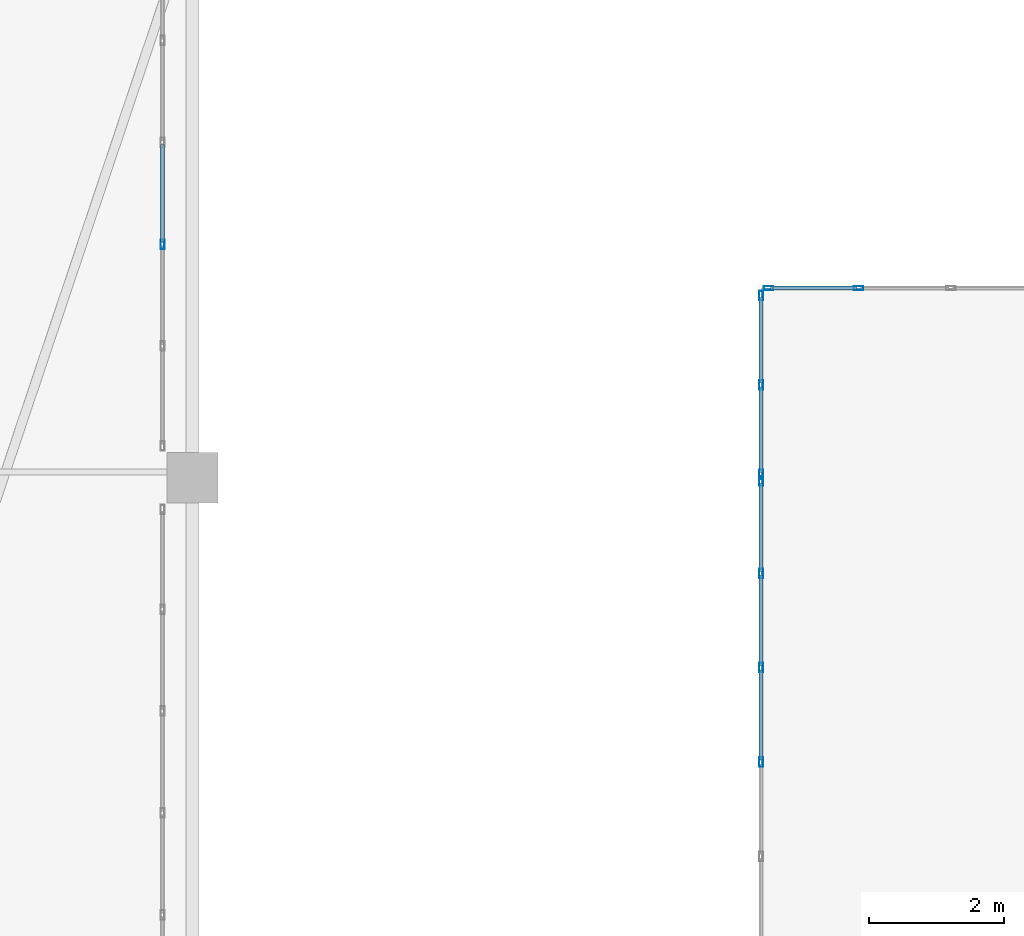
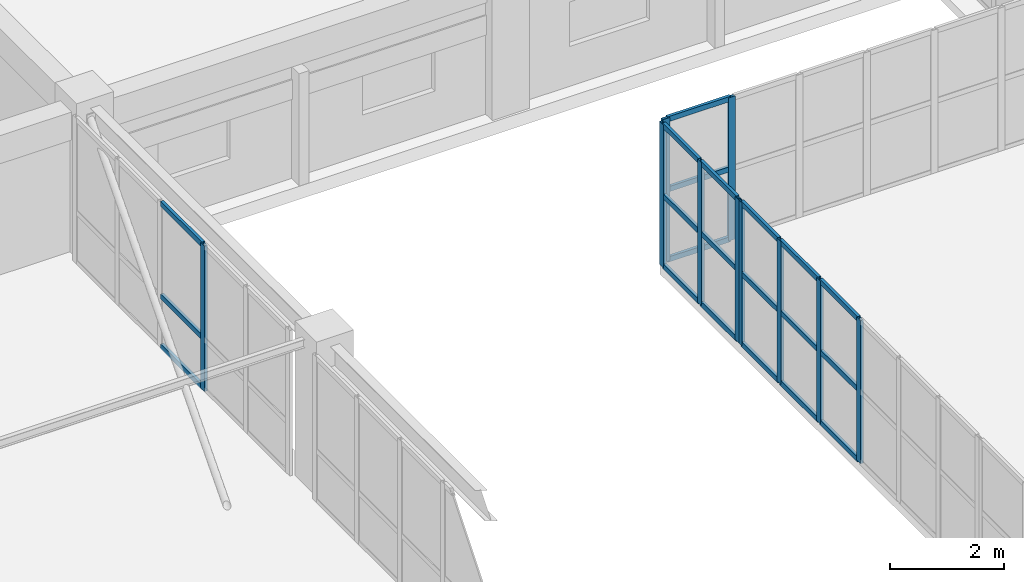
# One storey, part 106 of 200: 31 members, 4 elements without a shape of their own.
"""IFC4 building model written with IfcOpenShell, lengths in metres."""

from ifc_helpers import new_model, si_unit, direction, frame, origin, origin_2d, place, context, subcontext, project, spatial, hollow_rectangle, extrude, material, layer, layer_set, material_profile, profile_set, type_object, element, aggregate, save


model = new_model("IFC4")

# Units and contexts
model_context = context("Model", 3, precision=1e-05, world=origin(), true_north=direction((0.0, 1.0)))
body_context = subcontext(model_context, "Body", "Model", "MODEL_VIEW")
ifc_project = project(units=[si_unit("LENGTHUNIT", "METRE"), si_unit("AREAUNIT", "SQUARE_METRE"), si_unit("VOLUMEUNIT", "CUBIC_METRE"), si_unit("PLANEANGLEUNIT", "RADIAN"), si_unit("MASSUNIT", "GRAM", prefix="KILO")], contexts=[model_context])

# Site, building, storey
site_placement = place(None, origin())
site = spatial("IfcSite", under=ifc_project, at=site_placement, CompositionType="ELEMENT")
building_placement = place(site_placement, origin())
building = spatial("IfcBuilding", under=site, at=building_placement, Name="Trelvath General Hospital", CompositionType="ELEMENT")
storey_placement = place(building_placement, frame((0.0, 0.0, 4.800048828125)))
storey = spatial("IfcBuildingStorey", under=building, at=storey_placement, Name="L01", CompositionType="ELEMENT", Elevation=4.800048828125)

# Curtain wall, members
ifc_material_1 = material(Name="Anodised aluminium and low-E glass", Category="aluminium")
ifc_layer_1 = layer(ifc_material_1, 0.14990234375)
ifc_layer_set_1 = layer_set([ifc_layer_1], Name="Anodised aluminium and low-E glass")
curtain_wall_type_1 = type_object("IfcCurtainWallType", Name="CW CrystalCube 817 306 15", PredefinedType="USERDEFINED", material=ifc_layer_set_1)
curtain_wall_1_placement = place(storey_placement, origin())
curtain_wall_1 = element("IfcCurtainWall", 1, at=curtain_wall_1_placement, inside=storey, type_object=curtain_wall_type_1, Name="Crystal Cube Curtain Wall CUBE-E-T0 N1 L01", ObjectType="Unitised Glazed Curtain Wall", PredefinedType="USERDEFINED")
ifc_material_2 = material(Name="Anodised aluminium", Category="aluminium")
ifc_material_profile_1 = material_profile(ifc_material_2, hollow_rectangle(XDim=0.06005859375, YDim=0.139892578125, WallThickness=0.00390625, at=origin_2d()), Name="RHS60x140x4")
ifc_profile_set_1 = profile_set([ifc_material_profile_1], Name="Anodised aluminium")
member_type_1 = type_object("IfcMemberType", Name="CurtainMullion 60x140", PredefinedType="MULLION", material=ifc_profile_set_1)
member_1_placement = place(storey_placement, frame((92.510009765625, 86.800048828125, 0.0), z_axis=(0.0, 0.0, 1.0), x_axis=(0.0, 1.0, 0.0)))
member_1 = element("IfcMember", 2, at=member_1_placement, type_object=member_type_1, Name="CW-155 mullion 1", PredefinedType="MULLION", context=body_context, shape_type="SweptSolid", body=[
    extrude(hollow_rectangle(XDim=0.06005859375, YDim=0.139892578125, WallThickness=0.00390625, at=origin_2d()), origin(), (0.0, 0.0, 1.0), 3.06005859375),
])
member_2_placement = place(storey_placement, frame((93.841552734375, 86.800048828125, 0.0), z_axis=(0.0, 0.0, 1.0), x_axis=(0.0, 1.0, 0.0)))
member_2 = element("IfcMember", 3, at=member_2_placement, type_object=member_type_1, Name="CW-155 mullion 2", PredefinedType="MULLION", context=body_context, shape_type="SweptSolid", body=[
    extrude(hollow_rectangle(XDim=0.06005859375, YDim=0.139892578125, WallThickness=0.00390625, at=origin_2d()), origin(), (0.0, 0.0, 1.0), 3.06005859375),
])

ifc_material_3 = material(Name="Anodised aluminium and low-E glass", Category="aluminium")
ifc_layer_2 = layer(ifc_material_3, 0.14990234375)
ifc_layer_set_2 = layer_set([ifc_layer_2], Name="Anodised aluminium and low-E glass")
curtain_wall_type_2 = type_object("IfcCurtainWallType", Name="CW CrystalCube 836 306 15", PredefinedType="USERDEFINED", material=ifc_layer_set_2)
curtain_wall_2_placement = place(storey_placement, origin())
curtain_wall_2 = element("IfcCurtainWall", 4, at=curtain_wall_2_placement, inside=storey, type_object=curtain_wall_type_2, Name="Crystal Cube Curtain Wall CUBE-E-T0 W6 L01", ObjectType="Unitised Glazed Curtain Wall", PredefinedType="USERDEFINED")
member_3_placement = place(storey_placement, frame((92.39990234375, 79.800048828125, 0.0), z_axis=(0.0, 0.0, 1.0), x_axis=(-1.0, 0.0, 0.0)))
member_3 = element("IfcMember", 5, at=member_3_placement, type_object=member_type_1, Name="CW-169 mullion 4", PredefinedType="MULLION", context=body_context, shape_type="SweptSolid", body=[
    extrude(hollow_rectangle(XDim=0.06005859375, YDim=0.139892578125, WallThickness=0.00390625, at=origin_2d()), origin(), (0.0, 0.0, 1.0), 3.06005859375),
])
member_4_placement = place(storey_placement, frame((92.39990234375, 81.193359375, 0.0), z_axis=(0.0, 0.0, 1.0), x_axis=(-1.0, 0.0, 0.0)))
member_4 = element("IfcMember", 6, at=member_4_placement, type_object=member_type_1, Name="CW-169 mullion 5", PredefinedType="MULLION", context=body_context, shape_type="SweptSolid", body=[
    extrude(hollow_rectangle(XDim=0.06005859375, YDim=0.139892578125, WallThickness=0.00390625, at=origin_2d()), origin(), (0.0, 0.0, 1.0), 3.06005859375),
])
member_5_placement = place(storey_placement, frame((92.39990234375, 82.586669921875, 0.0), z_axis=(0.0, 0.0, 1.0), x_axis=(-1.0, 0.0, 0.0)))
member_5 = element("IfcMember", 7, at=member_5_placement, type_object=member_type_1, Name="CW-169 mullion 6", PredefinedType="MULLION", context=body_context, shape_type="SweptSolid", body=[
    extrude(hollow_rectangle(XDim=0.06005859375, YDim=0.139892578125, WallThickness=0.00390625, at=origin_2d()), origin(), (0.0, 0.0, 1.0), 3.06005859375),
])
member_6_placement = place(storey_placement, frame((92.39990234375, 83.949951171875, 0.0), z_axis=(0.0, 0.0, 1.0), x_axis=(-1.0, 0.0, 0.0)))
member_6 = element("IfcMember", 8, at=member_6_placement, type_object=member_type_1, Name="CW-169 mullion 7", PredefinedType="MULLION", context=body_context, shape_type="SweptSolid", body=[
    extrude(hollow_rectangle(XDim=0.06005859375, YDim=0.139892578125, WallThickness=0.00390625, at=origin_2d()), origin(), (0.0, 0.0, 1.0), 3.06005859375),
])

ifc_material_4 = material(Name="Anodised aluminium and low-E glass", Category="aluminium")
ifc_layer_3 = layer(ifc_material_4, 0.14990234375)
ifc_layer_set_3 = layer_set([ifc_layer_3], Name="Anodised aluminium and low-E glass")
curtain_wall_type_3 = type_object("IfcCurtainWallType", Name="CW CrystalCube 270 306 15", PredefinedType="USERDEFINED", material=ifc_layer_set_3)
curtain_wall_3_placement = place(storey_placement, origin())
curtain_wall_3 = element("IfcCurtainWall", 9, at=curtain_wall_3_placement, inside=storey, type_object=curtain_wall_type_3, Name="Crystal Cube Curtain Wall CUBE-E-T0 W7 L01", ObjectType="Unitised Glazed Curtain Wall", PredefinedType="USERDEFINED")
member_7_placement = place(storey_placement, frame((92.39990234375, 84.050048828125, 0.0), z_axis=(0.0, 0.0, 1.0), x_axis=(-1.0, 0.0, 0.0)))
member_7 = element("IfcMember", 10, at=member_7_placement, type_object=member_type_1, Name="CW-171 mullion 1", PredefinedType="MULLION", context=body_context, shape_type="SweptSolid", body=[
    extrude(hollow_rectangle(XDim=0.06005859375, YDim=0.139892578125, WallThickness=0.00390625, at=origin_2d()), origin(), (0.0, 0.0, 1.0), 3.06005859375),
])
member_8_placement = place(storey_placement, frame((92.39990234375, 85.3701171875, 0.0), z_axis=(0.0, 0.0, 1.0), x_axis=(-1.0, 0.0, 0.0)))
member_8 = element("IfcMember", 11, at=member_8_placement, type_object=member_type_1, Name="CW-171 mullion 2", PredefinedType="MULLION", context=body_context, shape_type="SweptSolid", body=[
    extrude(hollow_rectangle(XDim=0.06005859375, YDim=0.139892578125, WallThickness=0.00390625, at=origin_2d()), origin(), (0.0, 0.0, 1.0), 3.06005859375),
])
member_9_placement = place(storey_placement, frame((92.39990234375, 86.68994140625, 0.0), z_axis=(0.0, 0.0, 1.0), x_axis=(-1.0, 0.0, 0.0)))
member_9 = element("IfcMember", 12, at=member_9_placement, type_object=member_type_1, Name="CW-171 mullion 3", PredefinedType="MULLION", context=body_context, shape_type="SweptSolid", body=[
    extrude(hollow_rectangle(XDim=0.06005859375, YDim=0.139892578125, WallThickness=0.00390625, at=origin_2d()), origin(), (0.0, 0.0, 1.0), 3.06005859375),
])

# Curtain wall, member
ifc_material_5 = material(Name="Anodised aluminium and low-E glass", Category="aluminium")
ifc_layer_4 = layer(ifc_material_5, 0.139892578125)
ifc_layer_set_4 = layer_set([ifc_layer_4], Name="Anodised aluminium and low-E glass")
curtain_wall_type_4 = type_object("IfcCurtainWallType", Name="CW Bridge 752 311", PredefinedType="USERDEFINED", material=ifc_layer_set_4)
curtain_wall_4_placement = place(storey_placement, origin())
curtain_wall_4 = element("IfcCurtainWall", 13, at=curtain_wall_4_placement, inside=storey, type_object=curtain_wall_type_4, Name="Glazed Bridge Curtain Wall BRG-N-C E L01", ObjectType="Unitised Glazed Curtain Wall", PredefinedType="USERDEFINED")
member_10_placement = place(storey_placement, frame((83.56005859375, 87.447998046875, 0.0), z_axis=(0.0, 0.0, 1.0), x_axis=(1.0, 0.0, 0.0)))
member_10 = element("IfcMember", 14, at=member_10_placement, type_object=member_type_1, Name="CW-177 mullion 4", PredefinedType="MULLION", context=body_context, shape_type="SweptSolid", body=[
    extrude(hollow_rectangle(XDim=0.06005859375, YDim=0.139892578125, WallThickness=0.00390625, at=origin_2d()), origin(), (0.0, 0.0, 1.0), 3.10986328125),
])

# Member
ifc_material_6 = material(Name="Anodised aluminium", Category="aluminium")
ifc_material_profile_2 = material_profile(ifc_material_6, hollow_rectangle(XDim=0.06005859375, YDim=0.110107421875, WallThickness=0.00390625, at=origin_2d()), Name="RHS60x110x4")
ifc_profile_set_2 = profile_set([ifc_material_profile_2], Name="Anodised aluminium")
member_type_2 = type_object("IfcMemberType", Name="CurtainTransom 60x110", PredefinedType="USERDEFINED", material=ifc_profile_set_2)
member_11_placement = place(storey_placement, frame((92.5400390625, 86.800048828125, 0.030029296875), z_axis=(1.0, 0.0, 0.0), x_axis=(0.0, 1.0, 0.0)))
member_11 = element("IfcMember", 15, at=member_11_placement, type_object=member_type_2, Name="CW-155 transom 1.1", ObjectType="TRANSOM", PredefinedType="USERDEFINED", context=body_context, shape_type="SweptSolid", body=[
    extrude(hollow_rectangle(XDim=0.06005859375, YDim=0.110107421875, WallThickness=0.00390625, at=origin_2d()), origin(), (0.0, 0.0, 1.0), 1.271728515625),
])

member_12_placement = place(storey_placement, frame((92.5400390625, 86.800048828125, 1.530029296875), z_axis=(1.0, 0.0, 0.0), x_axis=(0.0, 1.0, 0.0)))
member_12 = element("IfcMember", 16, at=member_12_placement, type_object=member_type_2, Name="CW-155 transom 1.2", ObjectType="TRANSOM", PredefinedType="USERDEFINED", context=body_context, shape_type="SweptSolid", body=[
    extrude(hollow_rectangle(XDim=0.06005859375, YDim=0.110107421875, WallThickness=0.00390625, at=origin_2d()), origin(), (0.0, 0.0, 1.0), 1.271728515625),
])

member_13_placement = place(storey_placement, frame((92.5400390625, 86.800048828125, 3.030029296875), z_axis=(1.0, 0.0, 0.0), x_axis=(0.0, 1.0, 0.0)))
member_13 = element("IfcMember", 17, at=member_13_placement, type_object=member_type_2, Name="CW-155 transom 1.3", ObjectType="TRANSOM", PredefinedType="USERDEFINED", context=body_context, shape_type="SweptSolid", body=[
    extrude(hollow_rectangle(XDim=0.06005859375, YDim=0.110107421875, WallThickness=0.00390625, at=origin_2d()), origin(), (0.0, 0.0, 1.0), 1.271728515625),
])

aggregate(curtain_wall_1, [member_1, member_2, member_11, member_12, member_13])

member_14_placement = place(storey_placement, frame((92.39990234375, 79.830078125, 0.030029296875), z_axis=(0.0, 1.0, 0.0), x_axis=(-1.0, 0.0, 0.0)))
member_14 = element("IfcMember", 18, at=member_14_placement, type_object=member_type_2, Name="CW-169 transom 4.1", ObjectType="TRANSOM", PredefinedType="USERDEFINED", context=body_context, shape_type="SweptSolid", body=[
    extrude(hollow_rectangle(XDim=0.06005859375, YDim=0.110107421875, WallThickness=0.00390625, at=origin_2d()), origin(), (0.0, 0.0, 1.0), 1.333251953125),
])

member_15_placement = place(storey_placement, frame((92.39990234375, 79.830078125, 1.530029296875), z_axis=(0.0, 1.0, 0.0), x_axis=(-1.0, 0.0, 0.0)))
member_15 = element("IfcMember", 19, at=member_15_placement, type_object=member_type_2, Name="CW-169 transom 4.2", ObjectType="TRANSOM", PredefinedType="USERDEFINED", context=body_context, shape_type="SweptSolid", body=[
    extrude(hollow_rectangle(XDim=0.06005859375, YDim=0.110107421875, WallThickness=0.00390625, at=origin_2d()), origin(), (0.0, 0.0, 1.0), 1.333251953125),
])

member_16_placement = place(storey_placement, frame((92.39990234375, 79.830078125, 3.030029296875), z_axis=(0.0, 1.0, 0.0), x_axis=(-1.0, 0.0, 0.0)))
member_16 = element("IfcMember", 20, at=member_16_placement, type_object=member_type_2, Name="CW-169 transom 4.3", ObjectType="TRANSOM", PredefinedType="USERDEFINED", context=body_context, shape_type="SweptSolid", body=[
    extrude(hollow_rectangle(XDim=0.06005859375, YDim=0.110107421875, WallThickness=0.00390625, at=origin_2d()), origin(), (0.0, 0.0, 1.0), 1.333251953125),
])

member_17_placement = place(storey_placement, frame((92.39990234375, 81.223388671875, 0.030029296875), z_axis=(0.0, 1.0, 0.0), x_axis=(-1.0, 0.0, 0.0)))
member_17 = element("IfcMember", 21, at=member_17_placement, type_object=member_type_2, Name="CW-169 transom 5.1", ObjectType="TRANSOM", PredefinedType="USERDEFINED", context=body_context, shape_type="SweptSolid", body=[
    extrude(hollow_rectangle(XDim=0.06005859375, YDim=0.110107421875, WallThickness=0.00390625, at=origin_2d()), origin(), (0.0, 0.0, 1.0), 1.333251953125),
])

member_18_placement = place(storey_placement, frame((92.39990234375, 81.223388671875, 1.530029296875), z_axis=(0.0, 1.0, 0.0), x_axis=(-1.0, 0.0, 0.0)))
member_18 = element("IfcMember", 22, at=member_18_placement, type_object=member_type_2, Name="CW-169 transom 5.2", ObjectType="TRANSOM", PredefinedType="USERDEFINED", context=body_context, shape_type="SweptSolid", body=[
    extrude(hollow_rectangle(XDim=0.06005859375, YDim=0.110107421875, WallThickness=0.00390625, at=origin_2d()), origin(), (0.0, 0.0, 1.0), 1.333251953125),
])

member_19_placement = place(storey_placement, frame((92.39990234375, 81.223388671875, 3.030029296875), z_axis=(0.0, 1.0, 0.0), x_axis=(-1.0, 0.0, 0.0)))
member_19 = element("IfcMember", 23, at=member_19_placement, type_object=member_type_2, Name="CW-169 transom 5.3", ObjectType="TRANSOM", PredefinedType="USERDEFINED", context=body_context, shape_type="SweptSolid", body=[
    extrude(hollow_rectangle(XDim=0.06005859375, YDim=0.110107421875, WallThickness=0.00390625, at=origin_2d()), origin(), (0.0, 0.0, 1.0), 1.333251953125),
])

member_20_placement = place(storey_placement, frame((92.39990234375, 82.61669921875, 0.030029296875), z_axis=(0.0, 1.0, 0.0), x_axis=(-1.0, 0.0, 0.0)))
member_20 = element("IfcMember", 24, at=member_20_placement, type_object=member_type_2, Name="CW-169 transom 6.1", ObjectType="TRANSOM", PredefinedType="USERDEFINED", context=body_context, shape_type="SweptSolid", body=[
    extrude(hollow_rectangle(XDim=0.06005859375, YDim=0.110107421875, WallThickness=0.00390625, at=origin_2d()), origin(), (0.0, 0.0, 1.0), 1.30322265625),
])

member_21_placement = place(storey_placement, frame((92.39990234375, 82.61669921875, 1.530029296875), z_axis=(0.0, 1.0, 0.0), x_axis=(-1.0, 0.0, 0.0)))
member_21 = element("IfcMember", 25, at=member_21_placement, type_object=member_type_2, Name="CW-169 transom 6.2", ObjectType="TRANSOM", PredefinedType="USERDEFINED", context=body_context, shape_type="SweptSolid", body=[
    extrude(hollow_rectangle(XDim=0.06005859375, YDim=0.110107421875, WallThickness=0.00390625, at=origin_2d()), origin(), (0.0, 0.0, 1.0), 1.30322265625),
])

member_22_placement = place(storey_placement, frame((92.39990234375, 82.61669921875, 3.030029296875), z_axis=(0.0, 1.0, 0.0), x_axis=(-1.0, 0.0, 0.0)))
member_22 = element("IfcMember", 26, at=member_22_placement, type_object=member_type_2, Name="CW-169 transom 6.3", ObjectType="TRANSOM", PredefinedType="USERDEFINED", context=body_context, shape_type="SweptSolid", body=[
    extrude(hollow_rectangle(XDim=0.06005859375, YDim=0.110107421875, WallThickness=0.00390625, at=origin_2d()), origin(), (0.0, 0.0, 1.0), 1.30322265625),
])

aggregate(curtain_wall_2, [member_3, member_4, member_5, member_6, member_14, member_15, member_16, member_17, member_18, member_19, member_20, member_21, member_22])

member_23_placement = place(storey_placement, frame((92.39990234375, 84.080078125, 0.030029296875), z_axis=(0.0, 1.0, 0.0), x_axis=(-1.0, 0.0, 0.0)))
member_23 = element("IfcMember", 27, at=member_23_placement, type_object=member_type_2, Name="CW-171 transom 1.1", ObjectType="TRANSOM", PredefinedType="USERDEFINED", context=body_context, shape_type="SweptSolid", body=[
    extrude(hollow_rectangle(XDim=0.06005859375, YDim=0.110107421875, WallThickness=0.00390625, at=origin_2d()), origin(), (0.0, 0.0, 1.0), 1.260009765625),
])

member_24_placement = place(storey_placement, frame((92.39990234375, 84.080078125, 1.530029296875), z_axis=(0.0, 1.0, 0.0), x_axis=(-1.0, 0.0, 0.0)))
member_24 = element("IfcMember", 28, at=member_24_placement, type_object=member_type_2, Name="CW-171 transom 1.2", ObjectType="TRANSOM", PredefinedType="USERDEFINED", context=body_context, shape_type="SweptSolid", body=[
    extrude(hollow_rectangle(XDim=0.06005859375, YDim=0.110107421875, WallThickness=0.00390625, at=origin_2d()), origin(), (0.0, 0.0, 1.0), 1.260009765625),
])

member_25_placement = place(storey_placement, frame((92.39990234375, 84.080078125, 3.030029296875), z_axis=(0.0, 1.0, 0.0), x_axis=(-1.0, 0.0, 0.0)))
member_25 = element("IfcMember", 29, at=member_25_placement, type_object=member_type_2, Name="CW-171 transom 1.3", ObjectType="TRANSOM", PredefinedType="USERDEFINED", context=body_context, shape_type="SweptSolid", body=[
    extrude(hollow_rectangle(XDim=0.06005859375, YDim=0.110107421875, WallThickness=0.00390625, at=origin_2d()), origin(), (0.0, 0.0, 1.0), 1.260009765625),
])

member_26_placement = place(storey_placement, frame((92.39990234375, 85.39990234375, 0.030029296875), z_axis=(0.0, 1.0, 0.0), x_axis=(-1.0, 0.0, 0.0)))
member_26 = element("IfcMember", 30, at=member_26_placement, type_object=member_type_2, Name="CW-171 transom 2.1", ObjectType="TRANSOM", PredefinedType="USERDEFINED", context=body_context, shape_type="SweptSolid", body=[
    extrude(hollow_rectangle(XDim=0.06005859375, YDim=0.110107421875, WallThickness=0.00390625, at=origin_2d()), origin(), (0.0, 0.0, 1.0), 1.260009765625),
])

member_27_placement = place(storey_placement, frame((92.39990234375, 85.39990234375, 1.530029296875), z_axis=(0.0, 1.0, 0.0), x_axis=(-1.0, 0.0, 0.0)))
member_27 = element("IfcMember", 31, at=member_27_placement, type_object=member_type_2, Name="CW-171 transom 2.2", ObjectType="TRANSOM", PredefinedType="USERDEFINED", context=body_context, shape_type="SweptSolid", body=[
    extrude(hollow_rectangle(XDim=0.06005859375, YDim=0.110107421875, WallThickness=0.00390625, at=origin_2d()), origin(), (0.0, 0.0, 1.0), 1.260009765625),
])

member_28_placement = place(storey_placement, frame((92.39990234375, 85.39990234375, 3.030029296875), z_axis=(0.0, 1.0, 0.0), x_axis=(-1.0, 0.0, 0.0)))
member_28 = element("IfcMember", 32, at=member_28_placement, type_object=member_type_2, Name="CW-171 transom 2.3", ObjectType="TRANSOM", PredefinedType="USERDEFINED", context=body_context, shape_type="SweptSolid", body=[
    extrude(hollow_rectangle(XDim=0.06005859375, YDim=0.110107421875, WallThickness=0.00390625, at=origin_2d()), origin(), (0.0, 0.0, 1.0), 1.260009765625),
])

aggregate(curtain_wall_3, [member_7, member_8, member_9, member_23, member_24, member_25, member_26, member_27, member_28])

member_29_placement = place(storey_placement, frame((83.56005859375, 88.922119140625, 0.030029296875), z_axis=(0.0, -1.0, 0.0), x_axis=(1.0, 0.0, 0.0)))
member_29 = element("IfcMember", 33, at=member_29_placement, type_object=member_type_2, Name="CW-177 transom 3.1", ObjectType="TRANSOM", PredefinedType="USERDEFINED", context=body_context, shape_type="SweptSolid", body=[
    extrude(hollow_rectangle(XDim=0.06005859375, YDim=0.110107421875, WallThickness=0.00390625, at=origin_2d()), origin(), (0.0, 0.0, 1.0), 1.444091796875),
])

member_30_placement = place(storey_placement, frame((83.56005859375, 88.922119140625, 1.099853515625), z_axis=(0.0, -1.0, 0.0), x_axis=(1.0, 0.0, 0.0)))
member_30 = element("IfcMember", 34, at=member_30_placement, type_object=member_type_2, Name="CW-177 transom 3.2", ObjectType="TRANSOM", PredefinedType="USERDEFINED", context=body_context, shape_type="SweptSolid", body=[
    extrude(hollow_rectangle(XDim=0.06005859375, YDim=0.110107421875, WallThickness=0.00390625, at=origin_2d()), origin(), (0.0, 0.0, 1.0), 1.444091796875),
])

member_31_placement = place(storey_placement, frame((83.56005859375, 88.922119140625, 3.079833984375), z_axis=(0.0, -1.0, 0.0), x_axis=(1.0, 0.0, 0.0)))
member_31 = element("IfcMember", 35, at=member_31_placement, type_object=member_type_2, Name="CW-177 transom 3.3", ObjectType="TRANSOM", PredefinedType="USERDEFINED", context=body_context, shape_type="SweptSolid", body=[
    extrude(hollow_rectangle(XDim=0.06005859375, YDim=0.110107421875, WallThickness=0.00390625, at=origin_2d()), origin(), (0.0, 0.0, 1.0), 1.444091796875),
])

aggregate(curtain_wall_4, [member_10, member_29, member_30, member_31])

save(model, "model.ifc")
